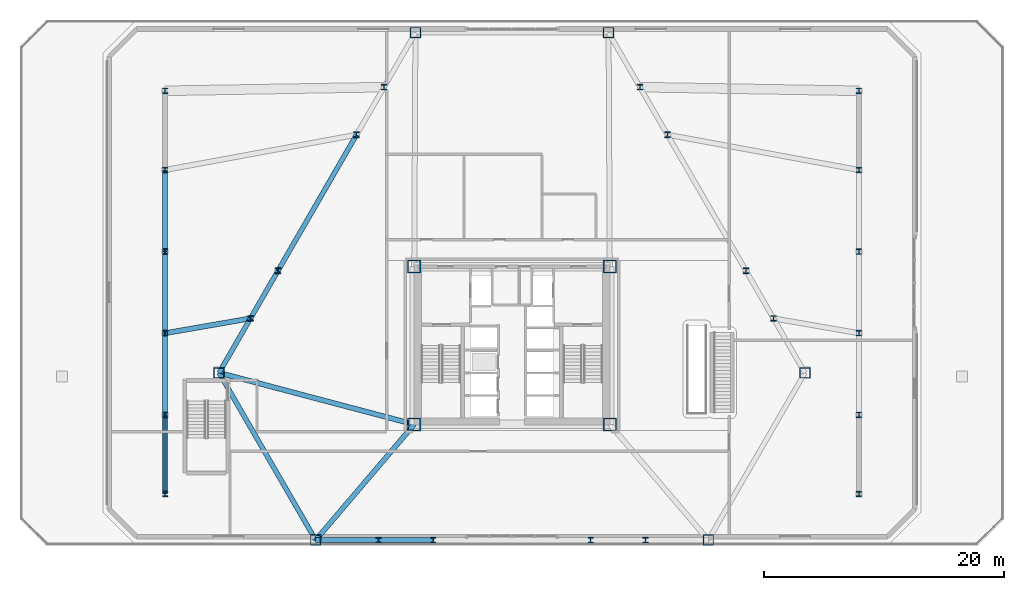
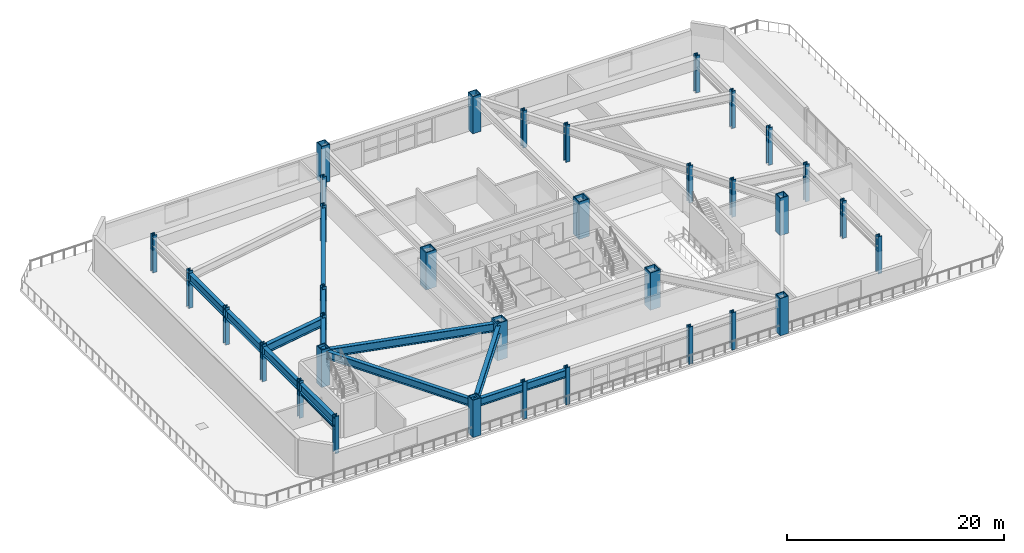
# One storey, part 1 of 16: 34 columns, 14 beams.
"""IFC4 building model written with IfcOpenShell, lengths in metres."""

from ifc_helpers import new_model, si_unit, direction, frame, origin, origin_2d, place, context, subcontext, project, spatial, hollow_rectangle, i_section, extrude, material, material_profile, profile_set, type_object, element, save


model = new_model("IFC4")

# Units and contexts
model_context = context("Model", 3, precision=1e-05, world=origin(), true_north=direction((0.0, 1.0)))
body_context = subcontext(model_context, "Body", "Model", "MODEL_VIEW")
ifc_project = project(units=[si_unit("LENGTHUNIT", "METRE"), si_unit("AREAUNIT", "SQUARE_METRE"), si_unit("VOLUMEUNIT", "CUBIC_METRE"), si_unit("PLANEANGLEUNIT", "RADIAN"), si_unit("MASSUNIT", "GRAM", prefix="KILO")], contexts=[model_context])

# Site, building, storey
site_placement = place(None, origin())
site = spatial("IfcSite", under=ifc_project, at=site_placement, CompositionType="ELEMENT")
building_placement = place(site_placement, origin())
building = spatial("IfcBuilding", under=site, at=building_placement, Name="Oramaril Tower", CompositionType="ELEMENT")
storey_placement = place(building_placement, frame((0.0, 0.0, 9.89990234375)))
storey = spatial("IfcBuildingStorey", under=building, at=storey_placement, Name="L02", CompositionType="ELEMENT", Elevation=9.89990234375)

# Columns
ifc_material_1 = material(Name="Steel ASTM A572 Gr 50", Category="steel")
ifc_material_profile_1 = material_profile(ifc_material_1, hollow_rectangle(XDim=1.10009765625, YDim=1.10009765625, WallThickness=0.090087890625, at=origin_2d()), Name="BOX1100X1100X90")
ifc_profile_set_1 = profile_set([ifc_material_profile_1], Name="Steel ASTM A572 Gr 50")
column_type_1 = type_object("IfcColumnType", Name="CT-CC1", PredefinedType="COLUMN", material=ifc_profile_set_1)
for number, where, z_axis, x_axis, name in (
    (1, (29.35009765625, 11.0, 0.0), (0.0, 0.0, 1.0), (1.0, 0.0, 0.0), "L02 Core Column CC-1"),
    (2, (45.64990234375, 11.0, 0.0), (0.0, 0.0, 1.0), (1.0, 0.0, 0.0), "L02 Core Column CC-2"),
    (3, (45.64990234375, 24.14990234375, 0.0), (0.0, 0.0, 1.0), (1.0, 0.0, 0.0), "L02 Core Column CC-3"),
    (4, (29.35009765625, 24.14990234375, 0.0), (0.0, 0.0, 1.0), (1.0, 0.0, 0.0), "L02 Core Column CC-4"),
):
    element("IfcColumn", number, at=place(storey_placement, frame(where, z_axis=z_axis, x_axis=x_axis)), inside=storey, type_object=column_type_1, Name=name, PredefinedType="COLUMN", context=body_context, shape_type="SweptSolid", body=[
        extrude(hollow_rectangle(XDim=1.10009765625, YDim=1.10009765625, WallThickness=0.090087890625, at=origin_2d()), origin(), (0.0, 0.0, 1.0), 4.2001953125),
    ])
ifc_material_2 = material(Name="Steel ASTM A572 Gr 50", Category="steel")
ifc_material_profile_2 = material_profile(ifc_material_2, hollow_rectangle(XDim=0.89990234375, YDim=0.89990234375, WallThickness=0.074951171875, at=origin_2d()), Name="BOX900X900X75")
ifc_profile_set_2 = profile_set([ifc_material_profile_2], Name="Steel ASTM A572 Gr 50")
column_type_2 = type_object("IfcColumnType", Name="CT-TC2", PredefinedType="COLUMN", material=ifc_profile_set_2)
for number, where, z_axis, x_axis, name in (
    (5, (13.089599609375, 15.300048828125, 0.004638671875), (0.0, 0.0, 1.0), (1.0, 0.0, 0.0), "L02 Tube Column TC-01"),
    (6, (21.137939453125, 1.360107421875, 0.004638671875), (0.0, 0.0, 1.0), (1.0, 0.0, 0.0), "L02 Tube Column TC-02"),
    (7, (53.862060546875, 1.360107421875, 0.004638671875), (0.0, 0.0, 1.0), (1.0, 0.0, 0.0), "L02 Tube Column TC-03"),
    (8, (61.910400390625, 15.300048828125, 0.004638671875), (0.0, 0.0, 1.0), (1.0, 0.0, 0.0), "L02 Tube Column TC-04"),
    (9, (45.548095703125, 43.639892578125, 0.004638671875), (0.0, 0.0, 1.0), (1.0, 0.0, 0.0), "L02 Tube Column TC-05"),
    (10, (29.451904296875, 43.639892578125, 0.004638671875), (0.0, 0.0, 1.0), (1.0, 0.0, 0.0), "L02 Tube Column TC-06"),
):
    element("IfcColumn", number, at=place(storey_placement, frame(where, z_axis=z_axis, x_axis=x_axis)), inside=storey, type_object=column_type_2, Name=name, PredefinedType="COLUMN", context=body_context, shape_type="SweptSolid", body=[
        extrude(hollow_rectangle(XDim=0.89990234375, YDim=0.89990234375, WallThickness=0.074951171875, at=origin_2d()), origin(), (0.0, 0.0, 1.0), 4.19091796875),
    ])
ifc_material_3 = material(Name="Steel ASTM A572 Gr 50", Category="steel")
ifc_material_profile_3 = material_profile(ifc_material_3, i_section(OverallWidth=0.422119140625, OverallDepth=0.465087890625, WebThickness=0.044921875, FlangeThickness=0.072021484375, at=origin_2d()), Name="W14X398")
ifc_profile_set_3 = profile_set([ifc_material_profile_3], Name="Steel ASTM A572 Gr 50")
column_type_3 = type_object("IfcColumnType", Name="CT-TF1", PredefinedType="COLUMN", material=ifc_profile_set_3)
for number, where, z_axis, x_axis, name in (
    (11, (26.373779296875, 1.360107421875, 0.004638671875), (0.0, 0.0, 1.0), (1.0, 0.0, 0.0), "L02 Tube Column TC-07"),
    (12, (30.955078125, 1.360107421875, 0.004638671875), (0.0, 0.0, 1.0), (1.0, 0.0, 0.0), "L02 Tube Column TC-08"),
    (13, (44.044921875, 1.360107421875, 0.004638671875), (0.0, 0.0, 1.0), (1.0, 0.0, 0.0), "L02 Tube Column TC-09"),
    (14, (48.626220703125, 1.360107421875, 0.004638671875), (0.0, 0.0, 1.0), (1.0, 0.0, 0.0), "L02 Tube Column TC-10"),
    (15, (59.29248046875, 19.83447265625, 0.004638671875), (0.0, 0.0, 1.0), (1.0, 0.0, 0.0), "L02 Tube Column TC-11"),
    (16, (57.001708984375, 23.802001953125, 0.004638671875), (0.0, 0.0, 1.0), (1.0, 0.0, 0.0), "L02 Tube Column TC-12"),
    (17, (50.456787109375, 35.137939453125, 0.004638671875), (0.0, 0.0, 1.0), (1.0, 0.0, 0.0), "L02 Tube Column TC-13"),
    (18, (48.166015625, 39.105712890625, 0.004638671875), (0.0, 0.0, 1.0), (1.0, 0.0, 0.0), "L02 Tube Column TC-14"),
    (19, (26.833984375, 39.105712890625, 0.004638671875), (0.0, 0.0, 1.0), (1.0, 0.0, 0.0), "L02 Tube Column TC-15"),
    (20, (24.543212890625, 35.137939453125, 0.004638671875), (0.0, 0.0, 1.0), (1.0, 0.0, 0.0), "L02 Tube Column TC-16"),
    (21, (17.998291015625, 23.802001953125, 0.004638671875), (0.0, 0.0, 1.0), (1.0, 0.0, 0.0), "L02 Tube Column TC-17"),
    (22, (15.70751953125, 19.83447265625, 0.004638671875), (0.0, 0.0, 1.0), (1.0, 0.0, 0.0), "L02 Tube Column TC-18"),
):
    element("IfcColumn", number, at=place(storey_placement, frame(where, z_axis=z_axis, x_axis=x_axis)), inside=storey, type_object=column_type_3, Name=name, PredefinedType="COLUMN", context=body_context, shape_type="SweptSolid", body=[
        extrude(i_section(OverallWidth=0.422119140625, OverallDepth=0.465087890625, WebThickness=0.044921875, FlangeThickness=0.072021484375, at=origin_2d()), origin(), (0.0, 0.0, 1.0), 4.19091796875),
    ])
for number, where, z_axis, x_axis, name in (
    (23, (8.60009765625, 5.199951171875, 0.0), (0.0, 0.0, 1.0), (1.0, 0.0, 0.0), "L02 Podium Column PCOL-01"),
    (24, (8.60009765625, 11.800048828125, 0.0), (0.0, 0.0, 1.0), (1.0, 0.0, 0.0), "L02 Podium Column PCOL-02"),
    (25, (8.60009765625, 18.60009765625, 0.0), (0.0, 0.0, 1.0), (1.0, 0.0, 0.0), "L02 Podium Column PCOL-03"),
    (26, (8.60009765625, 25.39990234375, 0.0), (0.0, 0.0, 1.0), (1.0, 0.0, 0.0), "L02 Podium Column PCOL-04"),
    (27, (8.60009765625, 32.199951171875, 0.0), (0.0, 0.0, 1.0), (1.0, 0.0, 0.0), "L02 Podium Column PCOL-05"),
    (28, (8.60009765625, 38.800048828125, 0.0), (0.0, 0.0, 1.0), (1.0, 0.0, 0.0), "L02 Podium Column PCOL-06"),
    (29, (66.39990234375, 5.199951171875, 0.0), (0.0, 0.0, 1.0), (1.0, 0.0, 0.0), "L02 Podium Column PCOL-07"),
    (30, (66.39990234375, 11.800048828125, 0.0), (0.0, 0.0, 1.0), (1.0, 0.0, 0.0), "L02 Podium Column PCOL-08"),
    (31, (66.39990234375, 18.60009765625, 0.0), (0.0, 0.0, 1.0), (1.0, 0.0, 0.0), "L02 Podium Column PCOL-09"),
    (32, (66.39990234375, 25.39990234375, 0.0), (0.0, 0.0, 1.0), (1.0, 0.0, 0.0), "L02 Podium Column PCOL-10"),
    (33, (66.39990234375, 32.199951171875, 0.0), (0.0, 0.0, 1.0), (1.0, 0.0, 0.0), "L02 Podium Column PCOL-11"),
    (34, (66.39990234375, 38.800048828125, 0.0), (0.0, 0.0, 1.0), (1.0, 0.0, 0.0), "L02 Podium Column PCOL-12"),
):
    element("IfcColumn", number, at=place(storey_placement, frame(where, z_axis=z_axis, x_axis=x_axis)), inside=storey, type_object=column_type_3, Name=name, PredefinedType="COLUMN", context=body_context, shape_type="SweptSolid", body=[
        extrude(i_section(OverallWidth=0.422119140625, OverallDepth=0.465087890625, WebThickness=0.044921875, FlangeThickness=0.072021484375, at=origin_2d()), origin(), (0.0, 0.0, 1.0), 4.2001953125),
    ])

# Beams
ifc_material_4 = material(Name="Steel ASTM A572 Gr 50", Category="steel")
ifc_material_profile_4 = material_profile(ifc_material_4, i_section(OverallWidth=0.1650390625, OverallDepth=0.31005859375, WebThickness=0.005859375, FlangeThickness=0.009765625, at=origin_2d()), Name="W12X26")
ifc_profile_set_4 = profile_set([ifc_material_profile_4], Name="Steel ASTM A572 Gr 50")
beam_type_1 = type_object("IfcBeamType", Name="BT-LN1", PredefinedType="LINTEL", material=ifc_profile_set_4)
beam_1_placement = place(storey_placement, frame((8.60009765625, 5.199951171875, 2.695068359375), z_axis=(0.0, 1.0, 0.0), x_axis=(-1.0, 0.0, 0.0)))
element("IfcBeam", 35, at=beam_1_placement, inside=storey, type_object=beam_type_1, Name="L02 Podium Opening Lintel Beam", PredefinedType="LINTEL", context=body_context, shape_type="SweptSolid", body=[
    extrude(i_section(OverallWidth=0.1650390625, OverallDepth=0.31005859375, WebThickness=0.005859375, FlangeThickness=0.009765625, at=origin_2d()), origin(), (0.0, 0.0, 1.0), 6.60009765625),
])
ifc_material_5 = material(Name="Steel ASTM A572 Gr 50", Category="steel")
ifc_material_profile_5 = material_profile(ifc_material_5, i_section(OverallWidth=0.424072265625, OverallDepth=0.947021484375, WebThickness=0.02392578125, FlangeThickness=0.042724609375, at=origin_2d()), Name="W36X302")
ifc_profile_set_5 = profile_set([ifc_material_profile_5], Name="Steel ASTM A572 Gr 50")
beam_type_2 = type_object("IfcBeamType", Name="BT-PG1", PredefinedType="BEAM", material=ifc_profile_set_5)
beam_2_placement = place(storey_placement, frame((8.60009765625, 18.60009765625, 3.446533203125), z_axis=(0.985251471122, 0.171112649011, 0.0), x_axis=(-0.171112649011, 0.985251471122, 0.0)))
element("IfcBeam", 36, at=beam_2_placement, inside=storey, type_object=beam_type_2, Name="L02 Podium Clear-Span Girder 03", PredefinedType="BEAM", context=body_context, shape_type="SweptSolid", body=[
    extrude(i_section(OverallWidth=0.424072265625, OverallDepth=0.947021484375, WebThickness=0.02392578125, FlangeThickness=0.042724609375, at=origin_2d()), origin(), (0.0, 0.0, 1.0), 7.2138671875),
])
ifc_material_6 = material(Name="Steel ASTM A572 Gr 50", Category="steel")
ifc_material_profile_6 = material_profile(ifc_material_6, i_section(OverallWidth=0.4189453125, OverallDepth=0.927001953125, WebThickness=0.019287109375, FlangeThickness=0.031982421875, at=origin_2d()), Name="W36X231")
ifc_profile_set_6 = profile_set([ifc_material_profile_6], Name="Steel ASTM A572 Gr 50")
beam_type_3 = type_object("IfcBeamType", Name="BT-PG2", PredefinedType="BEAM", material=ifc_profile_set_6)
beam_3_placement = place(storey_placement, frame((29.35009765625, 11.0, 3.45654296875), z_axis=(-0.966766980937, 0.255659157024, 0.0), x_axis=(-0.255659157024, -0.966766980937, 0.0)))
element("IfcBeam", 37, at=beam_3_placement, inside=storey, type_object=beam_type_3, Name="L02 Radial Primary Beam RB-01", PredefinedType="BEAM", context=body_context, shape_type="SweptSolid", body=[
    extrude(i_section(OverallWidth=0.4189453125, OverallDepth=0.927001953125, WebThickness=0.019287109375, FlangeThickness=0.031982421875, at=origin_2d()), origin(), (0.0, 0.0, 1.0), 16.819580078125),
])
beam_4_placement = place(storey_placement, frame((29.35009765625, 11.0, 3.45654296875), z_axis=(-0.64848466157, -0.761227721322, 0.0), x_axis=(0.761227721322, -0.64848466157, 0.0)))
element("IfcBeam", 38, at=beam_4_placement, inside=storey, type_object=beam_type_3, Name="L02 Radial Primary Beam RB-02", PredefinedType="BEAM", context=body_context, shape_type="SweptSolid", body=[
    extrude(i_section(OverallWidth=0.4189453125, OverallDepth=0.927001953125, WebThickness=0.019287109375, FlangeThickness=0.031982421875, at=origin_2d()), origin(), (0.0, 0.0, 1.0), 12.66357421875),
])
beam_5_placement = place(storey_placement, frame((8.60009765625, 5.199951171875, 3.45654296875), z_axis=(0.0, 1.0, 0.0), x_axis=(-1.0, 0.0, 0.0)))
element("IfcBeam", 39, at=beam_5_placement, inside=storey, type_object=beam_type_3, Name="L02 Podium Perimeter Girder 01", PredefinedType="BEAM", context=body_context, shape_type="SweptSolid", body=[
    extrude(i_section(OverallWidth=0.4189453125, OverallDepth=0.927001953125, WebThickness=0.019287109375, FlangeThickness=0.031982421875, at=origin_2d()), origin(), (0.0, 0.0, 1.0), 6.60009765625),
])
beam_6_placement = place(storey_placement, frame((8.60009765625, 11.800048828125, 3.45654296875), z_axis=(0.0, 1.0, 0.0), x_axis=(-1.0, 0.0, 0.0)))
element("IfcBeam", 40, at=beam_6_placement, inside=storey, type_object=beam_type_3, Name="L02 Podium Perimeter Girder 02", PredefinedType="BEAM", context=body_context, shape_type="SweptSolid", body=[
    extrude(i_section(OverallWidth=0.4189453125, OverallDepth=0.927001953125, WebThickness=0.019287109375, FlangeThickness=0.031982421875, at=origin_2d()), origin(), (0.0, 0.0, 1.0), 6.800048828125),
])
beam_7_placement = place(storey_placement, frame((8.60009765625, 18.60009765625, 3.45654296875), z_axis=(0.0, 1.0, 0.0), x_axis=(-1.0, 0.0, 0.0)))
element("IfcBeam", 41, at=beam_7_placement, inside=storey, type_object=beam_type_3, Name="L02 Podium Perimeter Girder 03", PredefinedType="BEAM", context=body_context, shape_type="SweptSolid", body=[
    extrude(i_section(OverallWidth=0.4189453125, OverallDepth=0.927001953125, WebThickness=0.019287109375, FlangeThickness=0.031982421875, at=origin_2d()), origin(), (0.0, 0.0, 1.0), 6.7998046875),
])
beam_8_placement = place(storey_placement, frame((8.60009765625, 25.39990234375, 3.45654296875), z_axis=(0.0, 1.0, 0.0), x_axis=(-1.0, 0.0, 0.0)))
element("IfcBeam", 42, at=beam_8_placement, inside=storey, type_object=beam_type_3, Name="L02 Podium Perimeter Girder 04", PredefinedType="BEAM", context=body_context, shape_type="SweptSolid", body=[
    extrude(i_section(OverallWidth=0.4189453125, OverallDepth=0.927001953125, WebThickness=0.019287109375, FlangeThickness=0.031982421875, at=origin_2d()), origin(), (0.0, 0.0, 1.0), 6.800048828125),
])
ifc_material_7 = material(Name="Steel ASTM A572 Gr 50", Category="steel")
ifc_material_profile_7 = material_profile(ifc_material_7, i_section(OverallWidth=0.40087890625, OverallDepth=0.85595703125, WebThickness=0.018310546875, FlangeThickness=0.029296875, at=origin_2d()), Name="W33X201")
ifc_profile_set_7 = profile_set([ifc_material_profile_7], Name="Steel ASTM A572 Gr 50")
beam_type_4 = type_object("IfcBeamType", Name="BT-SP1", PredefinedType="SPANDREL", material=ifc_profile_set_7)
beam_9_placement = place(storey_placement, frame((13.089599609375, 15.300048828125, 3.4921875), z_axis=(0.500005168208, -0.866022419898, 0.0), x_axis=(0.866022419898, 0.500005168208, 0.0)))
element("IfcBeam", 43, at=beam_9_placement, inside=storey, type_object=beam_type_4, Name="L02 Perimeter Spandrel 01", PredefinedType="SPANDREL", context=body_context, shape_type="SweptSolid", body=[
    extrude(i_section(OverallWidth=0.40087890625, OverallDepth=0.85595703125, WebThickness=0.018310546875, FlangeThickness=0.029296875, at=origin_2d()), origin(), (0.0, 0.0, 1.0), 16.096435546875),
])
beam_10_placement = place(storey_placement, frame((21.137939453125, 1.360107421875, 3.4921875), z_axis=(1.0, 0.0, 0.0), x_axis=(0.0, 1.0, 0.0)))
element("IfcBeam", 44, at=beam_10_placement, inside=storey, type_object=beam_type_4, Name="L02 Perimeter Spandrel 02", PredefinedType="SPANDREL", context=body_context, shape_type="SweptSolid", body=[
    extrude(i_section(OverallWidth=0.40087890625, OverallDepth=0.85595703125, WebThickness=0.018310546875, FlangeThickness=0.029296875, at=origin_2d()), origin(), (0.0, 0.0, 1.0), 5.23583984375),
])
beam_11_placement = place(storey_placement, frame((26.373779296875, 1.360107421875, 3.4921875), z_axis=(1.0, 0.0, 0.0), x_axis=(0.0, 1.0, 0.0)))
element("IfcBeam", 45, at=beam_11_placement, inside=storey, type_object=beam_type_4, Name="L02 Perimeter Spandrel 03", PredefinedType="SPANDREL", context=body_context, shape_type="SweptSolid", body=[
    extrude(i_section(OverallWidth=0.40087890625, OverallDepth=0.85595703125, WebThickness=0.018310546875, FlangeThickness=0.029296875, at=origin_2d()), origin(), (0.0, 0.0, 1.0), 4.581298828125),
])
beam_12_placement = place(storey_placement, frame((24.543212890625, 35.137939453125, 3.4921875), z_axis=(-0.50000660679, -0.866021589319, 0.0), x_axis=(0.866021589319, -0.50000660679, 0.0)))
element("IfcBeam", 46, at=beam_12_placement, inside=storey, type_object=beam_type_4, Name="L02 Perimeter Spandrel 16", PredefinedType="SPANDREL", context=body_context, shape_type="SweptSolid", body=[
    extrude(i_section(OverallWidth=0.40087890625, OverallDepth=0.85595703125, WebThickness=0.018310546875, FlangeThickness=0.029296875, at=origin_2d()), origin(), (0.0, 0.0, 1.0), 13.089599609375),
])
beam_13_placement = place(storey_placement, frame((17.998291015625, 23.802001953125, 3.4921875), z_axis=(-0.500019215235, -0.866014309579, 0.0), x_axis=(0.866014309579, -0.500019215235, 0.0)))
element("IfcBeam", 47, at=beam_13_placement, inside=storey, type_object=beam_type_4, Name="L02 Perimeter Spandrel 17", PredefinedType="SPANDREL", context=body_context, shape_type="SweptSolid", body=[
    extrude(i_section(OverallWidth=0.40087890625, OverallDepth=0.85595703125, WebThickness=0.018310546875, FlangeThickness=0.029296875, at=origin_2d()), origin(), (0.0, 0.0, 1.0), 4.581298828125),
])
beam_14_placement = place(storey_placement, frame((15.70751953125, 19.83447265625, 3.4921875), z_axis=(-0.499995574394, -0.866027958894, 0.0), x_axis=(0.866027958894, -0.499995574394, 0.0)))
element("IfcBeam", 48, at=beam_14_placement, inside=storey, type_object=beam_type_4, Name="L02 Perimeter Spandrel 18", PredefinedType="SPANDREL", context=body_context, shape_type="SweptSolid", body=[
    extrude(i_section(OverallWidth=0.40087890625, OverallDepth=0.85595703125, WebThickness=0.018310546875, FlangeThickness=0.029296875, at=origin_2d()), origin(), (0.0, 0.0, 1.0), 5.23583984375),
])

save(model, "model.ifc")
